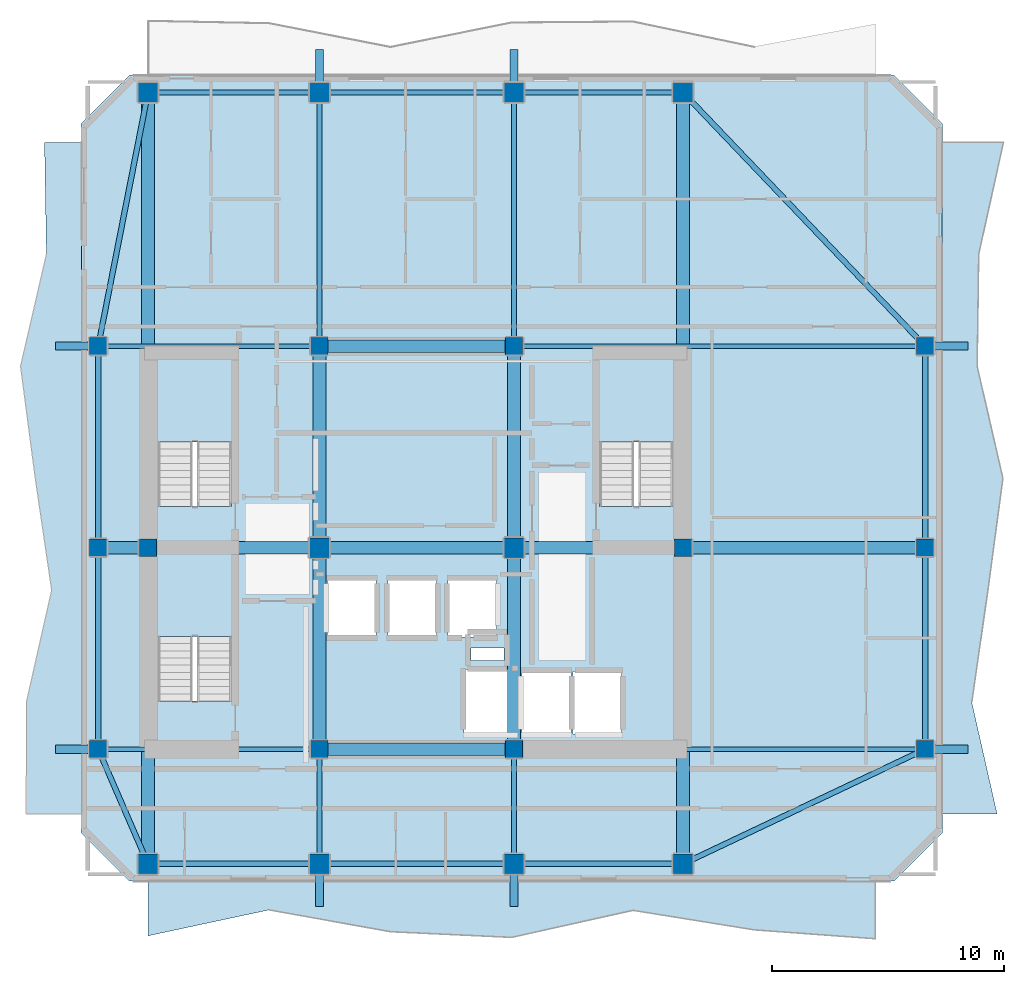
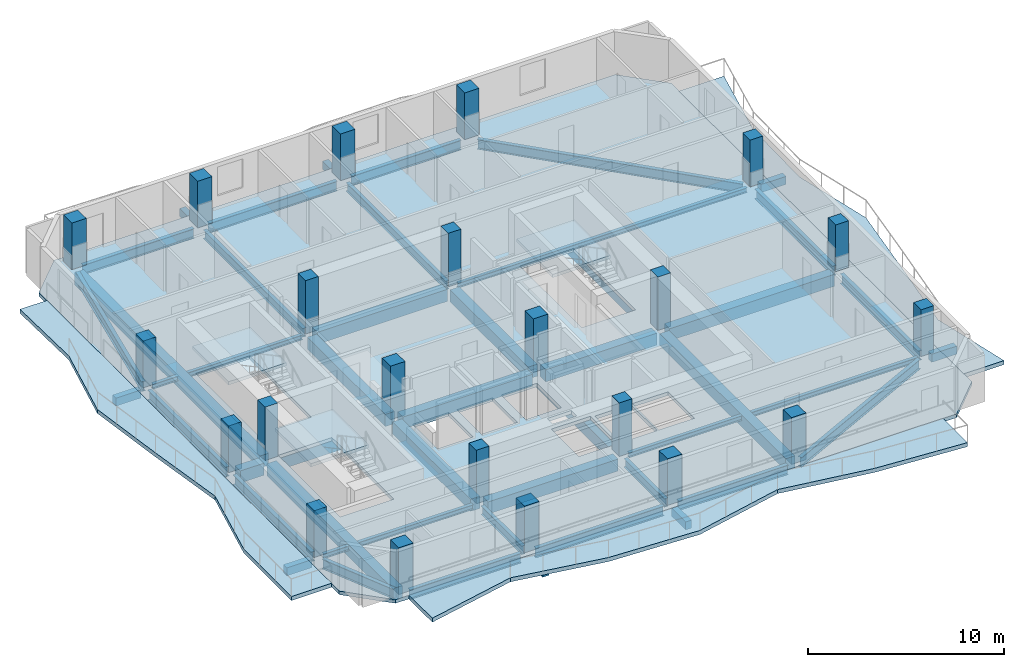
# One storey, part 1 of 9: 45 beams, 22 columns, 7 slabs, 3 elements without a shape of their own.
"""IFC4 building model written with IfcOpenShell, lengths in metres."""

import ifcopenshell
import ifcopenshell.guid

model = None  # the IFC model being written
_history = None  # IfcOwnerHistory: only IFC2X3 demands one
_inside = {}  # id of a spatial element -> (the spatial element, [elements in it])
_under = {}  # id of a project, library or spatial element -> (it, [spatial elements below it])
_declared = {}  # id of a project -> (the project, [libraries it declares])
_typed = {}  # id of a type object -> (the type object, [elements of that type])
_made_of = {}  # id of a material, layer set ... -> (it, [elements and type objects made of it])


def new_model(schema):
    """Start an empty IFC model of exactly this schema.

    Asked for "IFC4X3", IfcOpenShell would pick the latest addendum, in which some entities
    have other attributes; the version numbers below select the first issue.
    IFC2X3 requires an IfcOwnerHistory on every rooted entity: one is made here for all.
    """
    global model, _history
    if schema == "IFC4X3":
        model = ifcopenshell.file(schema_version=(4, 3, 0, 0))
    else:
        model = ifcopenshell.file(schema=schema)
    _inside.clear()
    _under.clear()
    _declared.clear()
    _typed.clear()
    _made_of.clear()
    _history = None
    if model.schema == "IFC2X3":
        org = make("IfcOrganization", Name="unknown")
        user = make(
            "IfcPersonAndOrganization",
            ThePerson=make("IfcPerson", FamilyName="unknown"),
            TheOrganization=org,
        )
        app = make(
            "IfcApplication",
            ApplicationDeveloper=org,
            Version="unknown",
            ApplicationFullName="unknown",
            ApplicationIdentifier="unknown",
        )
        _history = make(
            "IfcOwnerHistory",
            OwningUser=user,
            OwningApplication=app,
            ChangeAction="ADDED",
            CreationDate=0,
        )
    return model


def make(cls, **values):
    """One entity of the class cls with the attributes given. An attribute that is None is left unset."""
    return model.create_entity(
        cls, **{name: value for name, value in values.items() if value is not None}
    )


def rooted(cls, **values):
    """An entity with a GlobalId (a new one), such as an element, a storey or a relation."""
    return make(cls, GlobalId=ifcopenshell.guid.new(), OwnerHistory=_history, **values)


def si_unit(unit_type, name, prefix=None):
    """IfcSIUnit, for example si_unit("LENGTHUNIT", "METRE", prefix="MILLI")."""
    return make("IfcSIUnit", UnitType=unit_type, Prefix=prefix, Name=name)


def assignment(units):
    """IfcUnitAssignment: the units of a project."""
    return None if units is None else make("IfcUnitAssignment", Units=units)


def point(xyz):
    """IfcCartesianPoint."""
    return None if xyz is None else make("IfcCartesianPoint", Coordinates=xyz)


def direction(xyz):
    """IfcDirection."""
    return None if xyz is None else make("IfcDirection", DirectionRatios=xyz)


def frame(location, z_axis=None, x_axis=None):
    """IfcAxis2Placement3D, a coordinate frame: its origin and axes. An axis left out is left unset."""
    return make(
        "IfcAxis2Placement3D",
        Location=point(location),
        Axis=direction(z_axis),
        RefDirection=direction(x_axis),
    )


def frame_2d(location, x_axis=None):
    """IfcAxis2Placement2D, a coordinate frame in the plane: its origin and x axis."""
    return make(
        "IfcAxis2Placement2D", Location=point(location), RefDirection=direction(x_axis)
    )


def origin():
    """The frame at (0, 0, 0) with its axes left unset."""
    return frame((0.0, 0.0, 0.0))


def origin_2d():
    """The frame at (0, 0) in the plane with its x axis left unset."""
    return frame_2d((0.0, 0.0))


def place(relative_to, where):
    """IfcLocalPlacement: puts the frame where relative to a parent placement (None: the world)."""
    return make(
        "IfcLocalPlacement", PlacementRelTo=relative_to, RelativePlacement=where
    )


def context(
    kind, dimensions, precision=None, world=None, true_north=None, identifier=None
):
    """IfcGeometricRepresentationContext, for example the 3D "Model" context."""
    return make(
        "IfcGeometricRepresentationContext",
        ContextIdentifier=identifier,
        ContextType=kind,
        CoordinateSpaceDimension=dimensions,
        Precision=precision,
        WorldCoordinateSystem=world,
        TrueNorth=true_north,
    )


def subcontext(parent, identifier, kind, view, scale=None):
    """IfcGeometricRepresentationSubContext, for example "Body" below "Model"."""
    return make(
        "IfcGeometricRepresentationSubContext",
        ContextIdentifier=identifier,
        ContextType=kind,
        ParentContext=parent,
        TargetScale=scale,
        TargetView=view,
    )


def project(units=None, contexts=None):
    """IfcProject with its units and contexts."""
    return rooted(
        "IfcProject",
        Name="project",
        RepresentationContexts=contexts,
        UnitsInContext=assignment(units),
    )


def spatial(cls, under=None, at=None, **own):
    """A site, building, storey or space (cls), placed at a placement, below another one or the project."""
    s = rooted(cls, ObjectPlacement=at, **own)
    if under is not None:
        _under.setdefault(under.id(), (under, []))[1].append(s)
    return s


def polyline(points):
    """IfcPolyline through the points."""
    return make("IfcPolyline", Points=[point(p) for p in points])


def profile(cls, at=None, kind="AREA", **sizes):
    """A parametric profile (cls). Its sizes go by their IFC names, for example OverallWidth=200.0."""
    return make(cls, ProfileType=kind, Position=at, **sizes)


def rectangle(**sizes):
    """IfcRectangleProfileDef."""
    return profile("IfcRectangleProfileDef", **sizes)


def i_section(**sizes):
    """IfcIShapeProfileDef."""
    return profile("IfcIShapeProfileDef", **sizes)


def outline(outer, holes=None, kind="AREA"):
    """IfcArbitraryClosedProfileDef: a profile drawn as a closed curve; with holes, ...WithVoids."""
    if holes is None:
        return make("IfcArbitraryClosedProfileDef", ProfileType=kind, OuterCurve=outer)
    return make(
        "IfcArbitraryProfileDefWithVoids",
        ProfileType=kind,
        OuterCurve=outer,
        InnerCurves=holes,
    )


def extrude(swept, where, along, depth):
    """IfcExtrudedAreaSolid: the profile swept, set in the frame where, extruded along a direction by depth."""
    return make(
        "IfcExtrudedAreaSolid",
        SweptArea=swept,
        Position=where,
        ExtrudedDirection=direction(along),
        Depth=depth,
    )


def shape(context_of_items, identifier, shape_type, items):
    """IfcShapeRepresentation: the items that make up one representation, for example the "Body"."""
    return make(
        "IfcShapeRepresentation",
        ContextOfItems=context_of_items,
        RepresentationIdentifier=identifier,
        RepresentationType=shape_type,
        Items=items,
    )


def material(Name=None, Category=None):
    """IfcMaterial."""
    return make("IfcMaterial", Name=Name, Category=Category)


def layer(
    of_material, thickness, ventilated=None, Name=None, Category=None, Priority=None
):
    """IfcMaterialLayer: one layer of a wall or slab, of a material (None: an air gap)."""
    return make(
        "IfcMaterialLayer",
        Material=of_material,
        LayerThickness=thickness,
        IsVentilated=ventilated,
        Name=Name,
        Category=Category,
        Priority=Priority,
    )


def layer_set(layers, Name=None):
    """IfcMaterialLayerSet."""
    return make("IfcMaterialLayerSet", MaterialLayers=layers, LayerSetName=Name)


def material_profile(
    of_material, cross_section, Name=None, Category=None, Priority=None
):
    """IfcMaterialProfile: a cross section and its material."""
    return make(
        "IfcMaterialProfile",
        Name=Name,
        Material=of_material,
        Profile=cross_section,
        Priority=Priority,
        Category=Category,
    )


def profile_set(profiles, Name=None, composite=None):
    """IfcMaterialProfileSet."""
    return make(
        "IfcMaterialProfileSet",
        Name=Name,
        MaterialProfiles=profiles,
        CompositeProfile=composite,
    )


def made_of(thing, what):
    """Note that an element or type object is made of a material, layer set ...; save() writes the relation."""
    if what is not None:
        _made_of.setdefault(what.id(), (what, []))[1].append(thing)
    return thing


def type_object(cls, material=None, **own):
    """A type object (cls), such as IfcWallType, which elements share."""
    return made_of(rooted(cls, **own), material)


def element(
    cls,
    number,
    at=None,
    inside=None,
    cuts=None,
    type_object=None,
    material=None,
    context=None,
    identifier="Body",
    shape_type=None,
    held_by="IfcProductDefinitionShape",
    body=None,
    shapes=None,
    **own,
):
    """One element of the class cls, such as IfcWall. Its Tag is "e" and its number.

    at: its placement. inside: the storey or other place that contains it. cuts: it is an
    opening in that element (IfcRelVoidsElement). A single representation is given by context,
    identifier, shape_type and body (its items); several are given by shapes. held_by: the class
    of the entity that holds the representations. save() writes the other relations.
    """
    e = rooted(cls, Tag="e%d" % number, ObjectPlacement=at, **own)
    if body is not None:
        shapes = [shape(context, identifier, shape_type, body)]
    if shapes is not None:
        e.Representation = make(held_by, Representations=shapes)
    if inside is not None:
        _inside.setdefault(inside.id(), (inside, []))[1].append(e)
    if cuts is not None:
        rooted(
            "IfcRelVoidsElement", RelatingBuildingElement=cuts, RelatedOpeningElement=e
        )
    if type_object is not None:
        _typed.setdefault(type_object.id(), (type_object, []))[1].append(e)
    return made_of(e, material)


def aggregate(whole, parts):
    """IfcRelAggregates: a whole, such as a stair, and the parts it consists of."""
    return rooted("IfcRelAggregates", RelatingObject=whole, RelatedObjects=parts)


def save(model, path):
    """Write the relations noted so far, then the file.

    IfcRelAggregates (storeys below a building ...), IfcRelContainedInSpatialStructure (elements
    in a storey), IfcRelDefinesByType, IfcRelAssociatesMaterial and IfcRelDeclares: one each for
    every whole, place, type object, material and project.
    """
    for whole, parts in _under.values():
        aggregate(whole, parts)
    for where, things in _inside.values():
        rooted(
            "IfcRelContainedInSpatialStructure",
            RelatedElements=things,
            RelatingStructure=where,
        )
    for kind, things in _typed.values():
        rooted("IfcRelDefinesByType", RelatedObjects=things, RelatingType=kind)
    for what, things in _made_of.values():
        rooted("IfcRelAssociatesMaterial", RelatedObjects=things, RelatingMaterial=what)
    for by, libraries in _declared.values():
        rooted("IfcRelDeclares", RelatingContext=by, RelatedDefinitions=libraries)
    model.write(path)


model = new_model("IFC4")

# Units and contexts
model_context = context("Model", 3, precision=1e-05, world=origin(), true_north=direction((0.0, 1.0)))
body_context = subcontext(model_context, "Body", "Model", "MODEL_VIEW")
ifc_project = project(units=[si_unit("LENGTHUNIT", "METRE"), si_unit("AREAUNIT", "SQUARE_METRE"), si_unit("VOLUMEUNIT", "CUBIC_METRE"), si_unit("PLANEANGLEUNIT", "RADIAN"), si_unit("MASSUNIT", "GRAM", prefix="KILO")], contexts=[model_context])

# Site, building, storey
site_placement = place(None, origin())
site = spatial("IfcSite", under=ifc_project, at=site_placement, CompositionType="ELEMENT")
building_placement = place(site_placement, origin())
building = spatial("IfcBuilding", under=site, at=building_placement, Name="Solanera Arch Residences", CompositionType="ELEMENT")
storey_placement = place(building_placement, frame((0.0, 0.0, 247.8798828125)))
storey = spatial("IfcBuildingStorey", under=building, at=storey_placement, Name="L72", CompositionType="ELEMENT", Elevation=247.8798828125)

# Columns
ifc_material_1 = material(Name="Concrete C40/50 (f'c = 45 MPa)", Category="concrete")
ifc_material_profile_1 = material_profile(ifc_material_1, rectangle(XDim=0.75, YDim=0.75, at=origin_2d()))
ifc_profile_set_1 = profile_set([ifc_material_profile_1], Name="Concrete C40/50 (f'c = 45 MPa)")
column_type_1 = type_object("IfcColumnType", Name="Structural Column RC-COL-750X750", PredefinedType="COLUMN", material=ifc_profile_set_1)
for number, where, z_axis, x_axis, name in (
    (1, (20.800048828125, 22.0, 0.0), (0.0, 0.0, 1.0), (1.0, 0.0, 0.0), "COL-L72-CB-SW"),
    (2, (29.199951171875, 22.0, 0.0), (0.0, 0.0, 1.0), (1.0, 0.0, 0.0), "COL-L72-CB-SE"),
    (3, (20.800048828125, 39.39990234375, 0.0), (0.0, 0.0, 1.0), (1.0, 0.0, 0.0), "COL-L72-CB-NW"),
    (4, (29.199951171875, 39.39990234375, 0.0), (0.0, 0.0, 1.0), (1.0, 0.0, 0.0), "COL-L72-CB-NE"),
    (5, (13.39990234375, 30.699951171875, 0.0), (0.0, 0.0, 1.0), (1.0, 0.0, 0.0), "COL-L72-CB-WW"),
    (6, (36.5, 30.699951171875, 0.0), (0.0, 0.0, 1.0), (1.0, 0.0, 0.0), "COL-L72-CB-EE"),
):
    element("IfcColumn", number, at=place(storey_placement, frame(where, z_axis=z_axis, x_axis=x_axis)), inside=storey, type_object=column_type_1, Name=name, PredefinedType="COLUMN", context=body_context, shape_type="SweptSolid", body=[
        extrude(rectangle(XDim=0.75, YDim=0.75, at=origin_2d()), origin(), (0.0, 0.0, 1.0), 3.320068359375),
    ])
for number, where, z_axis, x_axis, name in (
    (7, (11.25, 22.0, 0.0), (0.0, 0.0, 1.0), (1.0, 0.0, 0.0), "COL-L72-TWR-09"),
    (8, (46.949951171875, 22.0, 0.0), (0.0, 0.0, 1.0), (1.0, 0.0, 0.0), "COL-L72-TWR-10"),
    (9, (11.25, 30.699951171875, 0.0), (0.0, 0.0, 1.0), (1.0, 0.0, 0.0), "COL-L72-TWR-11"),
    (10, (46.949951171875, 30.699951171875, 0.0), (0.0, 0.0, 1.0), (1.0, 0.0, 0.0), "COL-L72-TWR-12"),
    (11, (11.25, 39.39990234375, 0.0), (0.0, 0.0, 1.0), (1.0, 0.0, 0.0), "COL-L72-TWR-13"),
    (12, (46.949951171875, 39.39990234375, 0.0), (0.0, 0.0, 1.0), (1.0, 0.0, 0.0), "COL-L72-TWR-14"),
):
    element("IfcColumn", number, at=place(storey_placement, frame(where, z_axis=z_axis, x_axis=x_axis)), inside=storey, type_object=column_type_1, Name=name, PredefinedType="COLUMN", context=body_context, shape_type="SweptSolid", body=[
        extrude(rectangle(XDim=0.75, YDim=0.75, at=origin_2d()), origin(), (0.0, 0.0, 1.0), 2.900146484375),
    ])
ifc_material_2 = material(Name="Concrete C40/50 (f'c = 45 MPa)", Category="concrete")
ifc_material_profile_2 = material_profile(ifc_material_2, rectangle(XDim=0.85009765625, YDim=0.85009765625, at=origin_2d()))
ifc_profile_set_2 = profile_set([ifc_material_profile_2], Name="Concrete C40/50 (f'c = 45 MPa)")
column_type_2 = type_object("IfcColumnType", Name="Structural Column RC-COL-850X850", PredefinedType="COLUMN", material=ifc_profile_set_2)
for number, where, z_axis, x_axis, name in (
    (13, (20.800048828125, 30.699951171875, 0.0), (0.0, 0.0, 1.0), (1.0, 0.0, 0.0), "COL-L72-CORE-W"),
    (14, (29.199951171875, 30.699951171875, 0.0), (0.0, 0.0, 1.0), (1.0, 0.0, 0.0), "COL-L72-CORE-E"),
):
    element("IfcColumn", number, at=place(storey_placement, frame(where, z_axis=z_axis, x_axis=x_axis)), inside=storey, type_object=column_type_2, Name=name, PredefinedType="COLUMN", context=body_context, shape_type="SweptSolid", body=[
        extrude(rectangle(XDim=0.85009765625, YDim=0.85009765625, at=origin_2d()), origin(), (0.0, 0.0, 1.0), 3.320068359375),
    ])
for number, where, z_axis, x_axis, name in (
    (15, (13.39990234375, 17.050048828125, 0.0), (0.0, 0.0, 1.0), (1.0, 0.0, 0.0), "COL-L72-TWR-01"),
    (16, (13.39990234375, 50.35009765625, 0.0), (0.0, 0.0, 1.0), (1.0, 0.0, 0.0), "COL-L72-TWR-02"),
    (17, (20.800048828125, 17.050048828125, 0.0), (0.0, 0.0, 1.0), (1.0, 0.0, 0.0), "COL-L72-TWR-03"),
    (18, (20.800048828125, 50.35009765625, 0.0), (0.0, 0.0, 1.0), (1.0, 0.0, 0.0), "COL-L72-TWR-04"),
    (19, (29.199951171875, 17.050048828125, 0.0), (0.0, 0.0, 1.0), (1.0, 0.0, 0.0), "COL-L72-TWR-05"),
    (20, (29.199951171875, 50.35009765625, 0.0), (0.0, 0.0, 1.0), (1.0, 0.0, 0.0), "COL-L72-TWR-06"),
    (21, (36.5, 17.050048828125, 0.0), (0.0, 0.0, 1.0), (1.0, 0.0, 0.0), "COL-L72-TWR-07"),
    (22, (36.5, 50.35009765625, 0.0), (0.0, 0.0, 1.0), (1.0, 0.0, 0.0), "COL-L72-TWR-08"),
):
    element("IfcColumn", number, at=place(storey_placement, frame(where, z_axis=z_axis, x_axis=x_axis)), inside=storey, type_object=column_type_2, Name=name, PredefinedType="COLUMN", context=body_context, shape_type="SweptSolid", body=[
        extrude(rectangle(XDim=0.85009765625, YDim=0.85009765625, at=origin_2d()), origin(), (0.0, 0.0, 1.0), 2.900146484375),
    ])

# Beams
ifc_material_3 = material(Name="Concrete C40/50 (f'c = 45 MPa)", Category="concrete")
ifc_material_profile_3 = material_profile(ifc_material_3, rectangle(XDim=0.35009765625, YDim=0.5, at=origin_2d()))
ifc_profile_set_3 = profile_set([ifc_material_profile_3], Name="Concrete C40/50 (f'c = 45 MPa)")
beam_type_1 = type_object("IfcBeamType", Name="BM-BALC-RIB", PredefinedType="BEAM", material=ifc_profile_set_3)
for number, where, z_axis, x_axis, name in (
    (23, (20.800048828125, 15.199951171875, -0.5), (0.0, 1.0, 0.0), (-1.0, 0.0, 0.0), "BM-L72-BRIB-S1"),
    (24, (29.199951171875, 15.199951171875, -0.5), (0.0, 1.0, 0.0), (-1.0, 0.0, 0.0), "BM-L72-BRIB-S2"),
    (25, (20.800048828125, 50.77490234375, -0.5), (0.0, 1.0, 0.0), (-1.0, 0.0, 0.0), "BM-L72-BRIB-N1"),
    (26, (29.199951171875, 50.77490234375, -0.5), (0.0, 1.0, 0.0), (-1.0, 0.0, 0.0), "BM-L72-BRIB-N2"),
):
    element("IfcBeam", number, at=place(storey_placement, frame(where, z_axis=z_axis, x_axis=x_axis)), inside=storey, type_object=beam_type_1, Name=name, PredefinedType="BEAM", context=body_context, shape_type="SweptSolid", body=[
        extrude(rectangle(XDim=0.35009765625, YDim=0.5, at=origin_2d()), origin(), (0.0, 0.0, 1.0), 1.425048828125),
    ])
for number, where, z_axis, x_axis, name in (
    (27, (47.324951171875, 22.0, -0.5), (1.0, 0.0, 0.0), (0.0, 1.0, 0.0), "BM-L72-BRIB-E1"),
    (28, (47.324951171875, 39.39990234375, -0.5), (1.0, 0.0, 0.0), (0.0, 1.0, 0.0), "BM-L72-BRIB-E2"),
    (29, (9.39990234375, 22.0, -0.5), (1.0, 0.0, 0.0), (0.0, 1.0, 0.0), "BM-L72-BRIB-W1"),
    (30, (9.39990234375, 39.39990234375, -0.5), (1.0, 0.0, 0.0), (0.0, 1.0, 0.0), "BM-L72-BRIB-W2"),
):
    element("IfcBeam", number, at=place(storey_placement, frame(where, z_axis=z_axis, x_axis=x_axis)), inside=storey, type_object=beam_type_1, Name=name, PredefinedType="BEAM", context=body_context, shape_type="SweptSolid", body=[
        extrude(rectangle(XDim=0.35009765625, YDim=0.5, at=origin_2d()), origin(), (0.0, 0.0, 1.0), 1.47509765625),
    ])
ifc_material_4 = material(Name="Steel S355 (ASTM A992 / A572 Grade 50)", Category="steel")
ifc_material_profile_4 = material_profile(ifc_material_4, i_section(OverallWidth=0.208984375, OverallDepth=0.532958984375, WebThickness=0.01025390625, FlangeThickness=0.015625, at=origin_2d()))
ifc_profile_set_4 = profile_set([ifc_material_profile_4], Name="Steel S355 (ASTM A992 / A572 Grade 50)")
beam_type_2 = type_object("IfcBeamType", Name="Floor Beam W530X92", PredefinedType="BEAM", material=ifc_profile_set_4)
beam_1_placement = place(storey_placement, frame((20.800048828125, 17.47900390625, -0.48681640625), z_axis=(0.0, 1.0, 0.0), x_axis=(-1.0, 0.0, 0.0)))
element("IfcBeam", 31, at=beam_1_placement, inside=storey, type_object=beam_type_2, Name="BM-L72-RAD-S-208", PredefinedType="BEAM", context=body_context, shape_type="SweptSolid", body=[
    extrude(i_section(OverallWidth=0.208984375, OverallDepth=0.532958984375, WebThickness=0.01025390625, FlangeThickness=0.015625, at=origin_2d()), origin(), (0.0, 0.0, 1.0), 4.14208984375),
])
beam_2_placement = place(storey_placement, frame((20.800048828125, 39.779052734375, -0.48681640625), z_axis=(0.0, 1.0, 0.0), x_axis=(-1.0, 0.0, 0.0)))
element("IfcBeam", 32, at=beam_2_placement, inside=storey, type_object=beam_type_2, Name="BM-L72-RAD-N-208", PredefinedType="BEAM", context=body_context, shape_type="SweptSolid", body=[
    extrude(i_section(OverallWidth=0.208984375, OverallDepth=0.532958984375, WebThickness=0.01025390625, FlangeThickness=0.015625, at=origin_2d()), origin(), (0.0, 0.0, 1.0), 10.141845703125),
])
beam_3_placement = place(storey_placement, frame((29.199951171875, 17.47900390625, -0.48681640625), z_axis=(0.0, 1.0, 0.0), x_axis=(-1.0, 0.0, 0.0)))
element("IfcBeam", 33, at=beam_3_placement, inside=storey, type_object=beam_type_2, Name="BM-L72-RAD-S-292", PredefinedType="BEAM", context=body_context, shape_type="SweptSolid", body=[
    extrude(i_section(OverallWidth=0.208984375, OverallDepth=0.532958984375, WebThickness=0.01025390625, FlangeThickness=0.015625, at=origin_2d()), origin(), (0.0, 0.0, 1.0), 4.14208984375),
])
beam_4_placement = place(storey_placement, frame((29.199951171875, 39.779052734375, -0.48681640625), z_axis=(0.0, 1.0, 0.0), x_axis=(-1.0, 0.0, 0.0)))
element("IfcBeam", 34, at=beam_4_placement, inside=storey, type_object=beam_type_2, Name="BM-L72-RAD-N-292", PredefinedType="BEAM", context=body_context, shape_type="SweptSolid", body=[
    extrude(i_section(OverallWidth=0.208984375, OverallDepth=0.532958984375, WebThickness=0.01025390625, FlangeThickness=0.015625, at=origin_2d()), origin(), (0.0, 0.0, 1.0), 10.141845703125),
])
ifc_material_5 = material(Name="Concrete C40/50 (f'c = 45 MPa)", Category="concrete")
ifc_material_profile_5 = material_profile(ifc_material_5, rectangle(XDim=0.550048828125, YDim=0.75, at=origin_2d()))
ifc_profile_set_5 = profile_set([ifc_material_profile_5], Name="Concrete C40/50 (f'c = 45 MPa)")
beam_type_3 = type_object("IfcBeamType", Name="Primary Beam RC-BM-550X750", PredefinedType="BEAM", material=ifc_profile_set_5)
beam_5_placement = place(storey_placement, frame((20.800048828125, 22.37890625, -0.594970703125), z_axis=(0.0, 1.0, 0.0), x_axis=(-1.0, 0.0, 0.0)))
element("IfcBeam", 35, at=beam_5_placement, inside=storey, type_object=beam_type_3, Name="BM-L72-CC-S-208", PredefinedType="BEAM", context=body_context, shape_type="SweptSolid", body=[
    extrude(rectangle(XDim=0.550048828125, YDim=0.75, at=origin_2d()), origin(), (0.0, 0.0, 1.0), 7.942138671875),
])
beam_6_placement = place(storey_placement, frame((20.800048828125, 31.0791015625, -0.594970703125), z_axis=(0.0, 1.0, 0.0), x_axis=(-1.0, 0.0, 0.0)))
element("IfcBeam", 36, at=beam_6_placement, inside=storey, type_object=beam_type_3, Name="BM-L72-CC-N-208", PredefinedType="BEAM", context=body_context, shape_type="SweptSolid", body=[
    extrude(rectangle(XDim=0.550048828125, YDim=0.75, at=origin_2d()), origin(), (0.0, 0.0, 1.0), 7.94189453125),
])
beam_7_placement = place(storey_placement, frame((29.199951171875, 22.37890625, -0.594970703125), z_axis=(0.0, 1.0, 0.0), x_axis=(-1.0, 0.0, 0.0)))
element("IfcBeam", 37, at=beam_7_placement, inside=storey, type_object=beam_type_3, Name="BM-L72-CC-S-292", PredefinedType="BEAM", context=body_context, shape_type="SweptSolid", body=[
    extrude(rectangle(XDim=0.550048828125, YDim=0.75, at=origin_2d()), origin(), (0.0, 0.0, 1.0), 7.942138671875),
])
beam_8_placement = place(storey_placement, frame((29.199951171875, 31.0791015625, -0.594970703125), z_axis=(0.0, 1.0, 0.0), x_axis=(-1.0, 0.0, 0.0)))
element("IfcBeam", 38, at=beam_8_placement, inside=storey, type_object=beam_type_3, Name="BM-L72-CC-N-292", PredefinedType="BEAM", context=body_context, shape_type="SweptSolid", body=[
    extrude(rectangle(XDim=0.550048828125, YDim=0.75, at=origin_2d()), origin(), (0.0, 0.0, 1.0), 7.94189453125),
])
for number, where, z_axis, x_axis, name in (
    (39, (21.178955078125, 22.0, -0.594970703125), (1.0, 0.0, 0.0), (0.0, 1.0, 0.0), "BM-L72-CC-M-220"),
    (40, (21.178955078125, 30.699951171875, -0.594970703125), (1.0, 0.0, 0.0), (0.0, 1.0, 0.0), "BM-L72-CC-M-307"),
    (41, (21.178955078125, 39.39990234375, -0.594970703125), (1.0, 0.0, 0.0), (0.0, 1.0, 0.0), "BM-L72-CC-M-394"),
):
    element("IfcBeam", number, at=place(storey_placement, frame(where, z_axis=z_axis, x_axis=x_axis)), inside=storey, type_object=beam_type_3, Name=name, PredefinedType="BEAM", context=body_context, shape_type="SweptSolid", body=[
        extrude(rectangle(XDim=0.550048828125, YDim=0.75, at=origin_2d()), origin(), (0.0, 0.0, 1.0), 7.64208984375),
    ])
beam_9_placement = place(storey_placement, frame((13.779052734375, 30.699951171875, -0.594970703125), z_axis=(1.0, 0.0, 0.0), x_axis=(0.0, 1.0, 0.0)))
element("IfcBeam", 42, at=beam_9_placement, inside=storey, type_object=beam_type_3, Name="BM-L72-CC-W", PredefinedType="BEAM", context=body_context, shape_type="SweptSolid", body=[
    extrude(rectangle(XDim=0.550048828125, YDim=0.75, at=origin_2d()), origin(), (0.0, 0.0, 1.0), 6.641845703125),
])
beam_10_placement = place(storey_placement, frame((29.5791015625, 30.699951171875, -0.594970703125), z_axis=(1.0, 0.0, 0.0), x_axis=(0.0, 1.0, 0.0)))
element("IfcBeam", 43, at=beam_10_placement, inside=storey, type_object=beam_type_3, Name="BM-L72-CC-E", PredefinedType="BEAM", context=body_context, shape_type="SweptSolid", body=[
    extrude(rectangle(XDim=0.550048828125, YDim=0.75, at=origin_2d()), origin(), (0.0, 0.0, 1.0), 6.5419921875),
])
beam_11_placement = place(storey_placement, frame((13.39990234375, 17.47900390625, -0.594970703125), z_axis=(0.0, 1.0, 0.0), x_axis=(-1.0, 0.0, 0.0)))
element("IfcBeam", 44, at=beam_11_placement, inside=storey, type_object=beam_type_3, Name="BM-L72-RAD-OS-134", PredefinedType="BEAM", context=body_context, shape_type="SweptSolid", body=[
    extrude(rectangle(XDim=0.550048828125, YDim=0.75, at=origin_2d()), origin(), (0.0, 0.0, 1.0), 12.842041015625),
])
beam_12_placement = place(storey_placement, frame((13.39990234375, 31.0791015625, -0.594970703125), z_axis=(0.0, 1.0, 0.0), x_axis=(-1.0, 0.0, 0.0)))
element("IfcBeam", 45, at=beam_12_placement, inside=storey, type_object=beam_type_3, Name="BM-L72-RAD-ON-134", PredefinedType="BEAM", context=body_context, shape_type="SweptSolid", body=[
    extrude(rectangle(XDim=0.550048828125, YDim=0.75, at=origin_2d()), origin(), (0.0, 0.0, 1.0), 18.841796875),
])
beam_13_placement = place(storey_placement, frame((36.5, 17.47900390625, -0.594970703125), z_axis=(0.0, 1.0, 0.0), x_axis=(-1.0, 0.0, 0.0)))
element("IfcBeam", 46, at=beam_13_placement, inside=storey, type_object=beam_type_3, Name="BM-L72-RAD-OS-365", PredefinedType="BEAM", context=body_context, shape_type="SweptSolid", body=[
    extrude(rectangle(XDim=0.550048828125, YDim=0.75, at=origin_2d()), origin(), (0.0, 0.0, 1.0), 12.842041015625),
])
beam_14_placement = place(storey_placement, frame((36.5, 31.0791015625, -0.594970703125), z_axis=(0.0, 1.0, 0.0), x_axis=(-1.0, 0.0, 0.0)))
element("IfcBeam", 47, at=beam_14_placement, inside=storey, type_object=beam_type_3, Name="BM-L72-RAD-ON-365", PredefinedType="BEAM", context=body_context, shape_type="SweptSolid", body=[
    extrude(rectangle(XDim=0.550048828125, YDim=0.75, at=origin_2d()), origin(), (0.0, 0.0, 1.0), 18.841796875),
])
beam_15_placement = place(storey_placement, frame((11.62890625, 30.699951171875, -0.594970703125), z_axis=(1.0, 0.0, 0.0), x_axis=(0.0, 1.0, 0.0)))
element("IfcBeam", 48, at=beam_15_placement, inside=storey, type_object=beam_type_3, Name="BM-L72-RAD-MW", PredefinedType="BEAM", context=body_context, shape_type="SweptSolid", body=[
    extrude(rectangle(XDim=0.550048828125, YDim=0.75, at=origin_2d()), origin(), (0.0, 0.0, 1.0), 1.39208984375),
])
beam_16_placement = place(storey_placement, frame((36.87890625, 30.699951171875, -0.594970703125), z_axis=(1.0, 0.0, 0.0), x_axis=(0.0, 1.0, 0.0)))
element("IfcBeam", 49, at=beam_16_placement, inside=storey, type_object=beam_type_3, Name="BM-L72-RAD-ME", PredefinedType="BEAM", context=body_context, shape_type="SweptSolid", body=[
    extrude(rectangle(XDim=0.550048828125, YDim=0.75, at=origin_2d()), origin(), (0.0, 0.0, 1.0), 9.692138671875),
])
ifc_material_6 = material(Name="Steel S355 (ASTM A992 / A572 Grade 50)", Category="steel")
ifc_material_profile_6 = material_profile(ifc_material_6, i_section(OverallWidth=0.202880859375, OverallDepth=0.302978515625, WebThickness=0.007568359375, FlangeThickness=0.01318359375, at=origin_2d()))
ifc_profile_set_6 = profile_set([ifc_material_profile_6], Name="Steel S355 (ASTM A992 / A572 Grade 50)")
beam_type_4 = type_object("IfcBeamType", Name="Secondary Joist W310X60", PredefinedType="JOIST", material=ifc_profile_set_6)
beam_17_placement = place(storey_placement, frame((11.62890625, 22.0, -0.371826171875), z_axis=(1.0, 0.0, 0.0), x_axis=(0.0, 1.0, 0.0)))
element("IfcBeam", 50, at=beam_17_placement, inside=storey, type_object=beam_type_4, Name="BM-L72-RAD-W-220", PredefinedType="JOIST", context=body_context, shape_type="SweptSolid", body=[
    extrude(i_section(OverallWidth=0.202880859375, OverallDepth=0.302978515625, WebThickness=0.007568359375, FlangeThickness=0.01318359375, at=origin_2d()), origin(), (0.0, 0.0, 1.0), 8.7919921875),
])
beam_18_placement = place(storey_placement, frame((29.5791015625, 22.0, -0.371826171875), z_axis=(1.0, 0.0, 0.0), x_axis=(0.0, 1.0, 0.0)))
element("IfcBeam", 51, at=beam_18_placement, inside=storey, type_object=beam_type_4, Name="BM-L72-RAD-E-220", PredefinedType="JOIST", context=body_context, shape_type="SweptSolid", body=[
    extrude(i_section(OverallWidth=0.202880859375, OverallDepth=0.302978515625, WebThickness=0.007568359375, FlangeThickness=0.01318359375, at=origin_2d()), origin(), (0.0, 0.0, 1.0), 16.991943359375),
])
beam_19_placement = place(storey_placement, frame((11.62890625, 39.39990234375, -0.371826171875), z_axis=(1.0, 0.0, 0.0), x_axis=(0.0, 1.0, 0.0)))
element("IfcBeam", 52, at=beam_19_placement, inside=storey, type_object=beam_type_4, Name="BM-L72-RAD-W-394", PredefinedType="JOIST", context=body_context, shape_type="SweptSolid", body=[
    extrude(i_section(OverallWidth=0.202880859375, OverallDepth=0.302978515625, WebThickness=0.007568359375, FlangeThickness=0.01318359375, at=origin_2d()), origin(), (0.0, 0.0, 1.0), 8.7919921875),
])
beam_20_placement = place(storey_placement, frame((29.5791015625, 39.39990234375, -0.371826171875), z_axis=(1.0, 0.0, 0.0), x_axis=(0.0, 1.0, 0.0)))
element("IfcBeam", 53, at=beam_20_placement, inside=storey, type_object=beam_type_4, Name="BM-L72-RAD-E-394", PredefinedType="JOIST", context=body_context, shape_type="SweptSolid", body=[
    extrude(i_section(OverallWidth=0.202880859375, OverallDepth=0.302978515625, WebThickness=0.007568359375, FlangeThickness=0.01318359375, at=origin_2d()), origin(), (0.0, 0.0, 1.0), 16.991943359375),
])
ifc_material_7 = material(Name="Steel S355 (ASTM A992 / A572 Grade 50)", Category="steel")
ifc_material_profile_7 = material_profile(ifc_material_7, i_section(OverallWidth=0.22802734375, OverallDepth=0.60791015625, WebThickness=0.01123046875, FlangeThickness=0.017333984375, at=origin_2d()))
ifc_profile_set_7 = profile_set([ifc_material_profile_7], Name="Steel S355 (ASTM A992 / A572 Grade 50)")
beam_type_5 = type_object("IfcBeamType", Name="Spandrel Beam W610X113", PredefinedType="SPANDREL", material=ifc_profile_set_7)
for number, where, z_axis, x_axis, name in (
    (54, (13.8291015625, 17.050048828125, -0.52392578125), (1.0, 0.0, 0.0), (0.0, 1.0, 0.0), "BM-L72-SPN-S-1"),
    (55, (13.8291015625, 50.35009765625, -0.52392578125), (1.0, 0.0, 0.0), (0.0, 1.0, 0.0), "BM-L72-SPN-N-1"),
):
    element("IfcBeam", number, at=place(storey_placement, frame(where, z_axis=z_axis, x_axis=x_axis)), inside=storey, type_object=beam_type_5, Name=name, PredefinedType="SPANDREL", context=body_context, shape_type="SweptSolid", body=[
        extrude(i_section(OverallWidth=0.22802734375, OverallDepth=0.60791015625, WebThickness=0.01123046875, FlangeThickness=0.017333984375, at=origin_2d()), origin(), (0.0, 0.0, 1.0), 6.5419921875),
    ])
for number, where, z_axis, x_axis, name in (
    (56, (21.22900390625, 17.050048828125, -0.52392578125), (1.0, 0.0, 0.0), (0.0, 1.0, 0.0), "BM-L72-SPN-S-2"),
    (57, (21.22900390625, 50.35009765625, -0.52392578125), (1.0, 0.0, 0.0), (0.0, 1.0, 0.0), "BM-L72-SPN-N-2"),
):
    element("IfcBeam", number, at=place(storey_placement, frame(where, z_axis=z_axis, x_axis=x_axis)), inside=storey, type_object=beam_type_5, Name=name, PredefinedType="SPANDREL", context=body_context, shape_type="SweptSolid", body=[
        extrude(i_section(OverallWidth=0.22802734375, OverallDepth=0.60791015625, WebThickness=0.01123046875, FlangeThickness=0.017333984375, at=origin_2d()), origin(), (0.0, 0.0, 1.0), 7.5419921875),
    ])
for number, where, z_axis, x_axis, name in (
    (58, (29.62890625, 17.050048828125, -0.52392578125), (1.0, 0.0, 0.0), (0.0, 1.0, 0.0), "BM-L72-SPN-S-3"),
    (59, (29.62890625, 50.35009765625, -0.52392578125), (1.0, 0.0, 0.0), (0.0, 1.0, 0.0), "BM-L72-SPN-N-3"),
):
    element("IfcBeam", number, at=place(storey_placement, frame(where, z_axis=z_axis, x_axis=x_axis)), inside=storey, type_object=beam_type_5, Name=name, PredefinedType="SPANDREL", context=body_context, shape_type="SweptSolid", body=[
        extrude(i_section(OverallWidth=0.22802734375, OverallDepth=0.60791015625, WebThickness=0.01123046875, FlangeThickness=0.017333984375, at=origin_2d()), origin(), (0.0, 0.0, 1.0), 6.442138671875),
    ])
for number, where, z_axis, x_axis, name in (
    (60, (11.25, 22.37890625, -0.52392578125), (0.0, 1.0, 0.0), (-1.0, 0.0, 0.0), "BM-L72-SPN-W-1"),
    (61, (46.949951171875, 22.37890625, -0.52392578125), (0.0, 1.0, 0.0), (-1.0, 0.0, 0.0), "BM-L72-SPN-E-1"),
):
    element("IfcBeam", number, at=place(storey_placement, frame(where, z_axis=z_axis, x_axis=x_axis)), inside=storey, type_object=beam_type_5, Name=name, PredefinedType="SPANDREL", context=body_context, shape_type="SweptSolid", body=[
        extrude(i_section(OverallWidth=0.22802734375, OverallDepth=0.60791015625, WebThickness=0.01123046875, FlangeThickness=0.017333984375, at=origin_2d()), origin(), (0.0, 0.0, 1.0), 7.942138671875),
    ])
for number, where, z_axis, x_axis, name in (
    (62, (11.25, 31.0791015625, -0.52392578125), (0.0, 1.0, 0.0), (-1.0, 0.0, 0.0), "BM-L72-SPN-W-2"),
    (63, (46.949951171875, 31.0791015625, -0.52392578125), (0.0, 1.0, 0.0), (-1.0, 0.0, 0.0), "BM-L72-SPN-E-2"),
):
    element("IfcBeam", number, at=place(storey_placement, frame(where, z_axis=z_axis, x_axis=x_axis)), inside=storey, type_object=beam_type_5, Name=name, PredefinedType="SPANDREL", context=body_context, shape_type="SweptSolid", body=[
        extrude(i_section(OverallWidth=0.22802734375, OverallDepth=0.60791015625, WebThickness=0.01123046875, FlangeThickness=0.017333984375, at=origin_2d()), origin(), (0.0, 0.0, 1.0), 7.94189453125),
    ])
beam_21_placement = place(storey_placement, frame((13.214111328125, 17.47900390625, -0.52392578125), z_axis=(-0.398565995426, 0.917139655282, 0.0), x_axis=(-0.917139655282, -0.398565995426, 0.0)))
element("IfcBeam", 64, at=beam_21_placement, inside=storey, type_object=beam_type_5, Name="BM-L72-SPN-SW", PredefinedType="SPANDREL", context=body_context, shape_type="SweptSolid", body=[
    extrude(i_section(OverallWidth=0.22802734375, OverallDepth=0.60791015625, WebThickness=0.01123046875, FlangeThickness=0.017333984375, at=origin_2d()), origin(), (0.0, 0.0, 1.0), 4.516357421875),
])
beam_22_placement = place(storey_placement, frame((13.31591796875, 49.9208984375, -0.52392578125), z_axis=(-0.192726215486, -0.981252569864, 0.0), x_axis=(0.981252569864, -0.192726215486, 0.0)))
element("IfcBeam", 65, at=beam_22_placement, inside=storey, type_object=beam_type_5, Name="BM-L72-SPN-NW", PredefinedType="SPANDREL", context=body_context, shape_type="SweptSolid", body=[
    extrude(i_section(OverallWidth=0.22802734375, OverallDepth=0.60791015625, WebThickness=0.01123046875, FlangeThickness=0.017333984375, at=origin_2d()), origin(), (0.0, 0.0, 1.0), 10.335693359375),
])
beam_23_placement = place(storey_placement, frame((36.928955078125, 17.2529296875, -0.52392578125), z_axis=(0.903708483395, 0.428148311967, 0.0), x_axis=(-0.428148311967, 0.903708483395, 0.0)))
element("IfcBeam", 66, at=beam_23_placement, inside=storey, type_object=beam_type_5, Name="BM-L72-SPN-SE", PredefinedType="SPANDREL", context=body_context, shape_type="SweptSolid", body=[
    extrude(i_section(OverallWidth=0.22802734375, OverallDepth=0.60791015625, WebThickness=0.01123046875, FlangeThickness=0.017333984375, at=origin_2d()), origin(), (0.0, 0.0, 1.0), 10.66943359375),
])
beam_24_placement = place(storey_placement, frame((36.873046875, 49.958984375, -0.52392578125), z_axis=(0.690398586327, -0.723429189346, 0.0), x_axis=(0.723429189346, 0.690398586327, 0.0)))
element("IfcBeam", 67, at=beam_24_placement, inside=storey, type_object=beam_type_5, Name="BM-L72-SPN-NE", PredefinedType="SPANDREL", context=body_context, shape_type="SweptSolid", body=[
    extrude(i_section(OverallWidth=0.22802734375, OverallDepth=0.60791015625, WebThickness=0.01123046875, FlangeThickness=0.017333984375, at=origin_2d()), origin(), (0.0, 0.0, 1.0), 14.0732421875),
])

# Slabs
ifc_material_8 = material(Name="Concrete C40/50 (f'c = 45 MPa)", Category="concrete")
ifc_layer_1 = layer(ifc_material_8, 0.25)
ifc_layer_set_1 = layer_set([ifc_layer_1], Name="Concrete C40/50 (f'c = 45 MPa)")
slab_type_1 = type_object("IfcSlabType", Name="Balcony Slab 250", PredefinedType="FLOOR", material=ifc_layer_set_1)
slab_1_placement = place(storey_placement, frame((0.0, 0.0, -0.25)))
element("IfcSlab", 68, at=slab_1_placement, inside=storey, type_object=slab_type_1, Name="L72 S Rippling Brise-Soleil Balcony Slab", PredefinedType="FLOOR", context=body_context, shape_type="SweptSolid", body=[
    extrude(outline(polyline([(13.39990234375, 13.943115234375), (18.633056640625, 15.06298828125), (23.866943359375, 14.123046875), (29.10009765625, 13.8779296875), (34.3330078125, 15.0458984375), (39.56689453125, 14.202880859375), (44.800048828125, 13.820068359375), (44.800048828125, 16.320068359375), (13.39990234375, 16.320068359375), (13.39990234375, 13.943115234375)])), origin(), (0.0, 0.0, 1.0), 0.25),
])
slab_2_placement = place(storey_placement, frame((0.0, 0.0, -0.25)))
element("IfcSlab", 69, at=slab_2_placement, inside=storey, type_object=slab_type_1, Name="L72 E Rippling Brise-Soleil Balcony Slab", PredefinedType="FLOOR", context=body_context, shape_type="SweptSolid", body=[
    extrude(outline(polyline([(50.056884765625, 19.199951171875), (48.9619140625, 24.032958984375), (49.658935546875, 28.866943359375), (50.305908203125, 33.699951171875), (49.193115234375, 38.532958984375), (49.260986328125, 43.366943359375), (50.330078125, 48.199951171875), (47.679931640625, 48.199951171875), (47.679931640625, 19.199951171875), (50.056884765625, 19.199951171875)])), origin(), (0.0, 0.0, 1.0), 0.25),
])
slab_3_placement = place(storey_placement, frame((0.0, 0.0, -0.25)))
element("IfcSlab", 70, at=slab_3_placement, inside=storey, type_object=slab_type_1, Name="L72 W Rippling Brise-Soleil Balcony Slab", PredefinedType="FLOOR", context=body_context, shape_type="SweptSolid", body=[
    extrude(outline(polyline([(8.930908203125, 48.199951171875), (9.013916015625, 43.366943359375), (7.89697265625, 38.532958984375), (8.531982421875, 33.699951171875), (9.240966796875, 28.866943359375), (8.14990234375, 24.032958984375), (8.14306640625, 19.199951171875), (10.52001953125, 19.199951171875), (10.52001953125, 48.199951171875), (8.930908203125, 48.199951171875)])), origin(), (0.0, 0.0, 1.0), 0.25),
])

# Stair, slab
ifc_material_9 = material(Name="Concrete C40/50 (f'c = 45 MPa)", Category="concrete")
stair_type = type_object("IfcStairType", Name="Tower Dogleg Exit Stair 1480", PredefinedType="HALF_TURN_STAIR", material=ifc_material_9)
stair_1_placement = place(storey_placement, origin())
stair_1 = element("IfcStair", 71, at=stair_1_placement, inside=storey, type_object=stair_type, Name="L72 Tower Core Exit Stair 1", PredefinedType="HALF_TURN_STAIR")
ifc_material_10 = material(Name="Concrete C40/50 (f'c = 45 MPa)", Category="concrete")
ifc_layer_2 = layer(ifc_material_10, 0.199951171875)
ifc_layer_set_2 = layer_set([ifc_layer_2], Name="Concrete C40/50 (f'c = 45 MPa)")
slab_type_2 = type_object("IfcSlabType", Name="Stair Half-Landing Slab 200", PredefinedType="LANDING", material=ifc_layer_set_2)
slab_4_placement = place(storey_placement, frame((0.0, 0.0, 1.460205078125)))
slab_4 = element("IfcSlab", 72, at=slab_4_placement, type_object=slab_type_2, Name="ST-T1 landing 1", PredefinedType="LANDING", context=body_context, shape_type="SweptSolid", body=[
    extrude(outline(polyline([(17.1201171875, 35.260009765625), (17.1201171875, 38.919921875), (13.719970703125, 38.919921875), (13.719970703125, 35.260009765625), (17.1201171875, 35.260009765625)])), origin(), (0.0, 0.0, 1.0), 0.199951171875),
])
aggregate(stair_1, [slab_4])

stair_2_placement = place(storey_placement, origin())
stair_2 = element("IfcStair", 73, at=stair_2_placement, inside=storey, type_object=stair_type, Name="L72 Tower Core Exit Stair 2", PredefinedType="HALF_TURN_STAIR")
slab_5_placement = place(storey_placement, frame((0.0, 0.0, 1.460205078125)))
slab_5 = element("IfcSlab", 74, at=slab_5_placement, type_object=slab_type_2, Name="ST-T2 landing 1", PredefinedType="LANDING", context=body_context, shape_type="SweptSolid", body=[
    extrude(outline(polyline([(36.179931640625, 35.260009765625), (36.179931640625, 38.919921875), (32.780029296875, 38.919921875), (32.780029296875, 35.260009765625), (36.179931640625, 35.260009765625)])), origin(), (0.0, 0.0, 1.0), 0.199951171875),
])
aggregate(stair_2, [slab_5])

stair_3_placement = place(storey_placement, origin())
stair_3 = element("IfcStair", 75, at=stair_3_placement, inside=storey, type_object=stair_type, Name="L72 Tower Core Exit Stair 3", PredefinedType="HALF_TURN_STAIR")
slab_6_placement = place(storey_placement, frame((0.0, 0.0, 1.460205078125)))
slab_6 = element("IfcSlab", 76, at=slab_6_placement, type_object=slab_type_2, Name="ST-T3 landing 1", PredefinedType="LANDING", context=body_context, shape_type="SweptSolid", body=[
    extrude(outline(polyline([(17.1201171875, 26.860107421875), (17.1201171875, 30.52001953125), (13.719970703125, 30.52001953125), (13.719970703125, 26.860107421875), (17.1201171875, 26.860107421875)])), origin(), (0.0, 0.0, 1.0), 0.199951171875),
])
aggregate(stair_3, [slab_6])

# Slab
ifc_material_11 = material(Name="Concrete C40/50 (f'c = 45 MPa)", Category="concrete")
ifc_layer_3 = layer(ifc_material_11, 0.219970703125)
ifc_layer_set_3 = layer_set([ifc_layer_3], Name="Concrete C40/50 (f'c = 45 MPa)")
slab_type_3 = type_object("IfcSlabType", Name="Suspended Floor Slab Post-Tensioned 220", PredefinedType="FLOOR", material=ifc_layer_set_3)
slab_7_placement = place(storey_placement, frame((0.0, 0.0, -0.219970703125)))
element("IfcSlab", 77, at=slab_7_placement, inside=storey, type_object=slab_type_3, Name="L72 Tower Post-Tensioned Floor Slab", PredefinedType="FLOOR", context=body_context, shape_type="SweptSolid", body=[
    extrude(outline(polyline([(12.60009765625, 16.300048828125), (45.60009765625, 16.300048828125), (47.699951171875, 18.39990234375), (47.699951171875, 49.0), (45.60009765625, 51.10009765625), (12.60009765625, 51.10009765625), (10.5, 49.0), (10.5, 18.39990234375), (12.60009765625, 16.300048828125)]), holes=[polyline([(13.840087890625, 32.48291015625), (13.840087890625, 38.800048828125), (17.0, 38.800048828125), (17.0, 32.48291015625), (13.840087890625, 32.48291015625)]), polyline([(32.89990234375, 32.48291015625), (32.89990234375, 38.800048828125), (36.06005859375, 38.800048828125), (36.06005859375, 32.48291015625), (32.89990234375, 32.48291015625)]), polyline([(13.840087890625, 24.0830078125), (13.840087890625, 30.39990234375), (17.0, 30.39990234375), (17.0, 24.0830078125), (13.840087890625, 24.0830078125)]), polyline([(21.14990234375, 29.35009765625), (23.25, 29.35009765625), (23.25, 26.85009765625), (21.14990234375, 26.85009765625), (21.14990234375, 29.35009765625)]), polyline([(23.75, 29.35009765625), (25.85009765625, 29.35009765625), (25.85009765625, 26.85009765625), (23.75, 26.85009765625), (23.75, 29.35009765625)]), polyline([(26.35009765625, 29.35009765625), (28.449951171875, 29.35009765625), (28.449951171875, 26.85009765625), (26.35009765625, 26.85009765625), (26.35009765625, 29.35009765625)]), polyline([(29.550048828125, 25.35009765625), (31.64990234375, 25.35009765625), (31.64990234375, 22.64990234375), (29.550048828125, 22.64990234375), (29.550048828125, 25.35009765625)]), polyline([(31.75, 25.35009765625), (33.85009765625, 25.35009765625), (33.85009765625, 22.64990234375), (31.75, 22.64990234375), (31.75, 25.35009765625)]), polyline([(27.050048828125, 25.449951171875), (29.35009765625, 25.449951171875), (29.35009765625, 22.64990234375), (27.050048828125, 22.64990234375), (27.050048828125, 25.449951171875)]), polyline([(27.340087890625, 26.3798828125), (28.760009765625, 26.3798828125), (28.760009765625, 25.820068359375), (27.340087890625, 25.820068359375), (27.340087890625, 26.3798828125)])]), origin(), (0.0, 0.0, 1.0), 0.219970703125),
])

save(model, "model.ifc")
